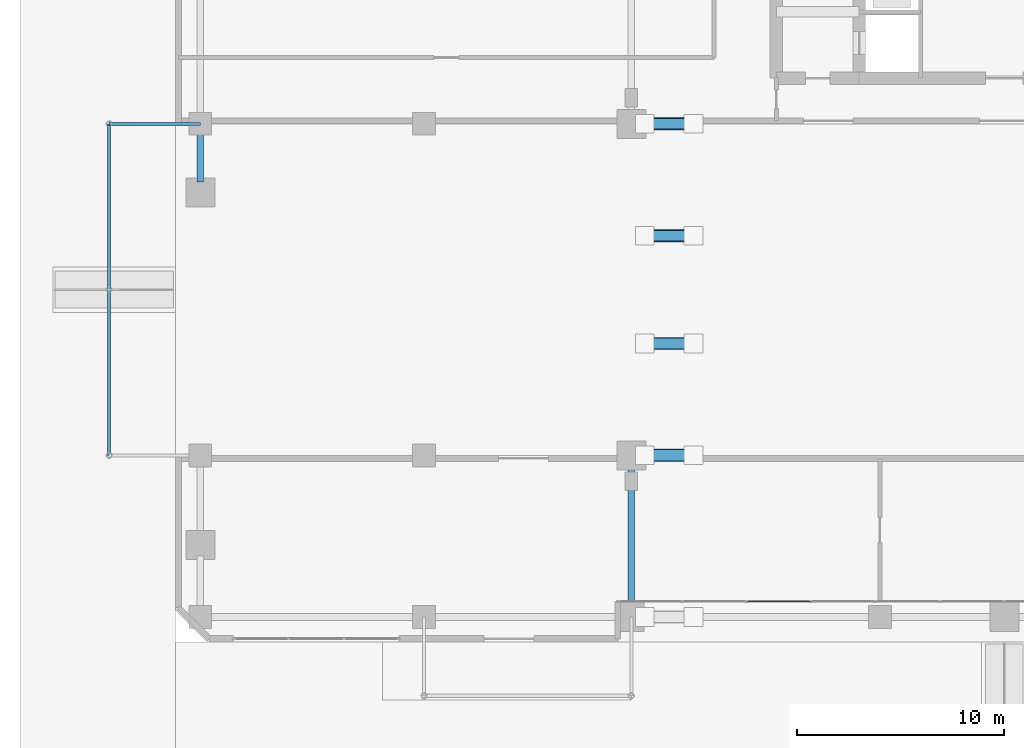
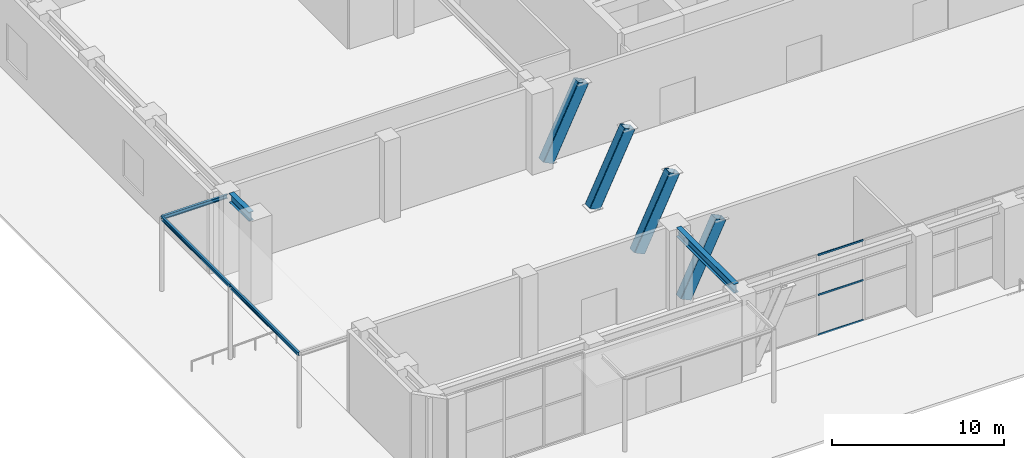
# One storey, part 14 of 49: 7 members, 5 beams, 1 element without a shape of its own.
"""IFC4 building model written with IfcOpenShell, lengths in metres."""

from ifc_helpers import new_model, si_unit, direction, frame, origin, origin_2d, place, context, subcontext, project, spatial, hollow_rectangle, i_section, extrude, material, layer, layer_set, material_profile, profile_set, type_object, element, aggregate, save


model = new_model("IFC4")

# Units and contexts
model_context = context("Model", 3, precision=1e-05, world=origin(), true_north=direction((0.0, 1.0)))
body_context = subcontext(model_context, "Body", "Model", "MODEL_VIEW")
ifc_project = project(units=[si_unit("LENGTHUNIT", "METRE"), si_unit("AREAUNIT", "SQUARE_METRE"), si_unit("VOLUMEUNIT", "CUBIC_METRE"), si_unit("PLANEANGLEUNIT", "RADIAN"), si_unit("MASSUNIT", "GRAM", prefix="KILO")], contexts=[model_context])

# Site, building, storey
site_placement = place(None, origin())
site = spatial("IfcSite", under=ifc_project, at=site_placement, CompositionType="ELEMENT")
building_placement = place(site_placement, origin())
building = spatial("IfcBuilding", under=site, at=building_placement, Name="Sarneth Arch Tower", CompositionType="ELEMENT")
storey_placement = place(building_placement, origin())
storey = spatial("IfcBuildingStorey", under=building, at=storey_placement, Name="L00", CompositionType="ELEMENT", Elevation=0.0)

# Beams
ifc_material_1 = material(Name="Steel S355", Category="steel")
ifc_material_profile_1 = material_profile(ifc_material_1, i_section(OverallWidth=0.14794921875, OverallDepth=0.26611328125, WebThickness=0.007568359375, FlangeThickness=0.012939453125, FilletRadius=0.012939453125, at=origin_2d()), Name="W250x44.8")
ifc_profile_set_1 = profile_set([ifc_material_profile_1], Name="Steel S355")
beam_type_1 = type_object("IfcBeamType", Name="BM-JOIST-250", PredefinedType="JOIST", material=ifc_profile_set_1)
beam_1_placement = place(storey_placement, frame((9.199951171875, 33.0, 5.159912109375), z_axis=(-1.0, 0.0, 0.0), x_axis=(0.0, -1.0, 0.0)))
element("IfcBeam", 1, at=beam_1_placement, inside=storey, type_object=beam_type_1, Name="Entrance canopy outrigger beam ARCH-W.2", PredefinedType="JOIST", context=body_context, shape_type="SweptSolid", body=[
    extrude(i_section(OverallWidth=0.14794921875, OverallDepth=0.26611328125, WebThickness=0.007568359375, FlangeThickness=0.012939453125, FilletRadius=0.012939453125, at=origin_2d()), origin(), (0.0, 0.0, 1.0), 4.39990234375),
])
for number, where, z_axis, x_axis, name in (
    (2, (4.800048828125, 17.0, 5.159912109375), (0.0, 1.0, 0.0), (-1.0, 0.0, 0.0), "Entrance canopy edge beam ARCH-W.1A"),
    (3, (4.800048828125, 25.0, 5.159912109375), (0.0, 1.0, 0.0), (-1.0, 0.0, 0.0), "Entrance canopy edge beam ARCH-W.1B"),
):
    element("IfcBeam", number, at=place(storey_placement, frame(where, z_axis=z_axis, x_axis=x_axis)), inside=storey, type_object=beam_type_1, Name=name, PredefinedType="JOIST", context=body_context, shape_type="SweptSolid", body=[
        extrude(i_section(OverallWidth=0.14794921875, OverallDepth=0.26611328125, WebThickness=0.007568359375, FlangeThickness=0.012939453125, FilletRadius=0.012939453125, at=origin_2d()), origin(), (0.0, 0.0, 1.0), 8.0),
    ])
ifc_material_2 = material(Name="Steel S355", Category="steel")
ifc_material_profile_2 = material_profile(ifc_material_2, i_section(OverallWidth=0.3291015625, OverallDepth=0.635009765625, WebThickness=0.017822265625, FlangeThickness=0.031005859375, FilletRadius=0.01904296875, at=origin_2d()), Name="W610x241")
ifc_profile_set_2 = profile_set([ifc_material_profile_2], Name="Steel S355")
beam_type_2 = type_object("IfcBeamType", Name="BM-POD-610", PredefinedType="BEAM", material=ifc_profile_set_2)
beam_2_placement = place(storey_placement, frame((9.199951171875, 30.2021484375, 5.402587890625), z_axis=(0.0, 1.0, 0.0), x_axis=(-1.0, 0.0, 0.0)))
element("IfcBeam", 4, at=beam_2_placement, inside=storey, type_object=beam_type_2, Name="L00 Podium PW girder 4", PredefinedType="BEAM", context=body_context, shape_type="SweptSolid", body=[
    extrude(i_section(OverallWidth=0.3291015625, OverallDepth=0.635009765625, WebThickness=0.017822265625, FlangeThickness=0.031005859375, FilletRadius=0.01904296875, at=origin_2d()), origin(), (0.0, 0.0, 1.0), 2.27783203125),
])
beam_3_placement = place(storey_placement, frame((30.0, 9.75, 5.402587890625), z_axis=(0.0, 1.0, 0.0), x_axis=(-1.0, 0.0, 0.0)))
element("IfcBeam", 5, at=beam_3_placement, inside=storey, type_object=beam_type_2, Name="L00 Podium N-S girder W30.1", PredefinedType="BEAM", context=body_context, shape_type="SweptSolid", body=[
    extrude(i_section(OverallWidth=0.3291015625, OverallDepth=0.635009765625, WebThickness=0.017822265625, FlangeThickness=0.031005859375, FilletRadius=0.01904296875, at=origin_2d()), origin(), (0.0, 0.0, 1.0), 6.699951171875),
])

# Curtain wall, members
ifc_material_3 = material(Name="Anodised aluminium Type AA25 and solar-control low-e laminated IGU", Category="aluminium")
ifc_layer = layer(ifc_material_3, 0.199951171875)
ifc_layer_set = layer_set([ifc_layer], Name="Anodised aluminium Type AA25 and solar-control low-e laminated IGU")
curtain_wall_type = type_object("IfcCurtainWallType", Name="CW-ARCH-GLAZE", PredefinedType="NOTDEFINED", material=ifc_layer_set)
curtain_wall_placement = place(storey_placement, origin())
curtain_wall = element("IfcCurtainWall", 6, at=curtain_wall_placement, inside=storey, type_object=curtain_wall_type, Name="L00 South parabolic arch portal curtain wall", PredefinedType="NOTDEFINED")
ifc_material_4 = material(Name="Anodised Aluminium 6063-T6", Category="aluminium")
ifc_material_profile_3 = material_profile(ifc_material_4, hollow_rectangle(XDim=0.06005859375, YDim=0.1201171875, WallThickness=0.00390625, at=origin_2d()), Name="AL-TRAN-120x60x4")
ifc_profile_set_3 = profile_set([ifc_material_profile_3], Name="Anodised Aluminium 6063-T6")
member_type_1 = type_object("IfcMemberType", Name="CW-TRANSOM", PredefinedType="USERDEFINED", material=ifc_profile_set_3)
member_1_placement = place(storey_placement, frame((35.5966796875, 9.949951171875, 0.030029296875), z_axis=(1.0, 0.0, 0.0), x_axis=(0.0, 1.0, 0.0)))
member_1 = element("IfcMember", 7, at=member_1_placement, type_object=member_type_1, Name="CW-SYS-2 transom 3.1", ObjectType="TRANSOM", PredefinedType="USERDEFINED", context=body_context, shape_type="SweptSolid", body=[
    extrude(hollow_rectangle(XDim=0.06005859375, YDim=0.1201171875, WallThickness=0.00390625, at=origin_2d()), origin(), (0.0, 0.0, 1.0), 3.04833984375),
])
member_2_placement = place(storey_placement, frame((35.5966796875, 9.949951171875, 2.860107421875), z_axis=(1.0, 0.0, 0.0), x_axis=(0.0, 1.0, 0.0)))
member_2 = element("IfcMember", 8, at=member_2_placement, type_object=member_type_1, Name="CW-SYS-2 transom 3.2", ObjectType="TRANSOM", PredefinedType="USERDEFINED", context=body_context, shape_type="SweptSolid", body=[
    extrude(hollow_rectangle(XDim=0.06005859375, YDim=0.1201171875, WallThickness=0.00390625, at=origin_2d()), origin(), (0.0, 0.0, 1.0), 3.04833984375),
])
member_3_placement = place(storey_placement, frame((35.5966796875, 9.949951171875, 5.68994140625), z_axis=(1.0, 0.0, 0.0), x_axis=(0.0, 1.0, 0.0)))
member_3 = element("IfcMember", 9, at=member_3_placement, type_object=member_type_1, Name="CW-SYS-2 transom 3.3", ObjectType="TRANSOM", PredefinedType="USERDEFINED", context=body_context, shape_type="SweptSolid", body=[
    extrude(hollow_rectangle(XDim=0.06005859375, YDim=0.1201171875, WallThickness=0.00390625, at=origin_2d()), origin(), (0.0, 0.0, 1.0), 3.04833984375),
])
aggregate(curtain_wall, [member_1, member_2, member_3])

# Members
ifc_material_5 = material(Name="Steel S355", Category="steel")
ifc_material_profile_4 = material_profile(ifc_material_5, hollow_rectangle(XDim=0.60009765625, YDim=0.800048828125, WallThickness=0.028076171875, InnerFilletRadius=0.0419921875, OuterFilletRadius=0.070068359375, at=origin_2d()), Name="RHS800x600x28")
ifc_profile_set_4 = profile_set([ifc_material_profile_4], Name="Steel S355")
member_type_2 = type_object("IfcMemberType", Name="MEM-ARCH-CHORD", PredefinedType="CHORD", material=ifc_profile_set_4)
for number, where, z_axis, x_axis, name in (
    (10, (30.64990234375, 17.0, 0.14990234375), (0.433788519804, 0.0, 0.901014716909), (0.0, 1.0, 0.0), "Podium parabolic arch rib 2 segment 1"),
    (11, (30.64990234375, 22.39990234375, 0.14990234375), (0.433788519804, 0.0, 0.901014716909), (0.0, 1.0, 0.0), "Podium parabolic arch rib 3 segment 1"),
    (12, (30.64990234375, 27.60009765625, 0.14990234375), (0.433788519804, 0.0, 0.901014716909), (0.0, 1.0, 0.0), "Podium parabolic arch rib 4 segment 1"),
    (13, (30.64990234375, 33.0, 0.14990234375), (0.433788519804, 0.0, 0.901014716909), (0.0, 1.0, 0.0), "Podium parabolic arch rib 5 segment 1"),
):
    element("IfcMember", number, at=place(storey_placement, frame(where, z_axis=z_axis, x_axis=x_axis)), inside=storey, type_object=member_type_2, Name=name, PredefinedType="CHORD", context=body_context, shape_type="SweptSolid", body=[
        extrude(hollow_rectangle(XDim=0.60009765625, YDim=0.800048828125, WallThickness=0.028076171875, InnerFilletRadius=0.0419921875, OuterFilletRadius=0.070068359375, at=origin_2d()), origin(), (0.0, 0.0, 1.0), 5.417724609375),
    ])

save(model, "model.ifc")
